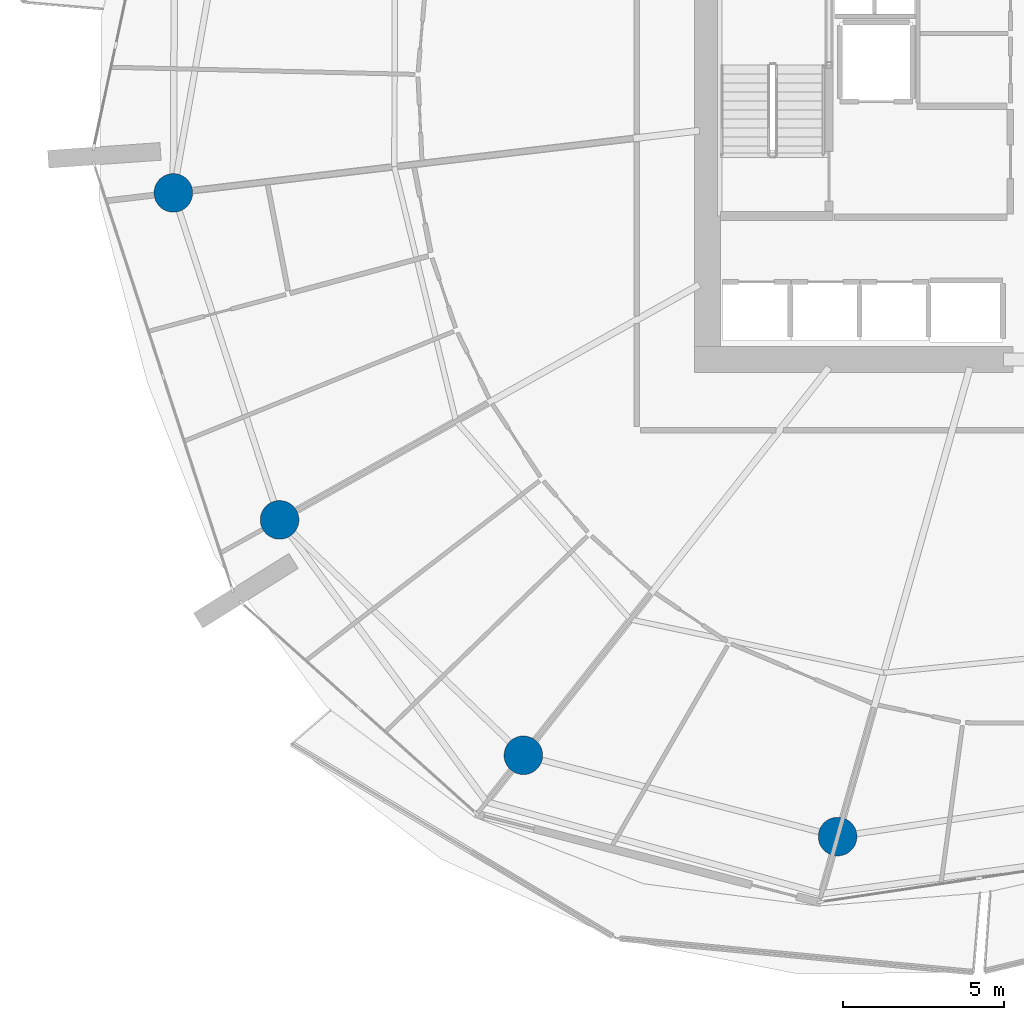
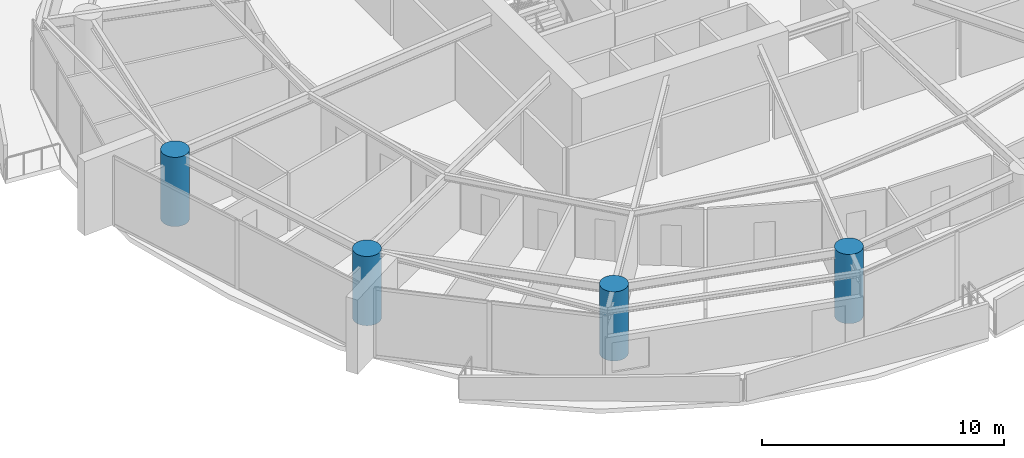
# One storey, part 1 of 23: 4 columns.
"""IFC4 building model written with IfcOpenShell, lengths in metres."""

from ifc_helpers import new_model, si_unit, direction, frame, origin, origin_2d, place, context, subcontext, project, spatial, circle, extrude, material, material_profile, profile_set, type_object, element, save


model = new_model("IFC4")

# Units and contexts
model_context = context("Model", 3, precision=1e-05, world=origin(), true_north=direction((0.0, 1.0)))
body_context = subcontext(model_context, "Body", "Model", "MODEL_VIEW")
ifc_project = project(units=[si_unit("LENGTHUNIT", "METRE"), si_unit("AREAUNIT", "SQUARE_METRE"), si_unit("VOLUMEUNIT", "CUBIC_METRE"), si_unit("PLANEANGLEUNIT", "RADIAN"), si_unit("MASSUNIT", "GRAM", prefix="KILO")], contexts=[model_context])

# Site, building, storey
site_placement = place(None, origin())
site = spatial("IfcSite", under=ifc_project, at=site_placement, CompositionType="ELEMENT")
building_placement = place(site_placement, origin())
building = spatial("IfcBuilding", under=site, at=building_placement, Name="Kazma Halo Residences", CompositionType="ELEMENT")
storey_placement = place(building_placement, frame((0.0, 0.0, 105.14990234375)))
storey = spatial("IfcBuildingStorey", under=building, at=storey_placement, Name="L26", CompositionType="ELEMENT", Elevation=105.14990234375)

# Columns
ifc_material = material(Name="Concrete C80/95", Category="concrete")
ifc_material_profile = material_profile(ifc_material, circle(Radius=0.60009765625, at=origin_2d()), Name="CIRC1200")
ifc_profile_set = profile_set([ifc_material_profile], Name="Concrete C80/95")
column_type = type_object("IfcColumnType", Name="COL-PERIM-1200", PredefinedType="COLUMN", material=ifc_profile_set)
for number, where, z_axis, x_axis, name in (
    (1, (20.79345703125, 38.77978515625, 0.0), (0.0, 0.0, 1.0), (1.0, 0.0, 0.0), "L26 perimeter ring column P08"),
    (2, (24.0966796875, 28.613525390625, 0.0), (0.0, 0.0, 1.0), (1.0, 0.0, 0.0), "L26 perimeter ring column P09"),
    (3, (31.676513671875, 21.293701171875, 0.0), (0.0, 0.0, 1.0), (1.0, 0.0, 0.0), "L26 perimeter ring column P10"),
    (4, (41.447265625, 18.765869140625, 0.0), (0.0, 0.0, 1.0), (1.0, 0.0, 0.0), "L26 perimeter ring column P11"),
):
    element("IfcColumn", number, at=place(storey_placement, frame(where, z_axis=z_axis, x_axis=x_axis)), inside=storey, type_object=column_type, Name=name, PredefinedType="COLUMN", context=body_context, shape_type="SweptSolid", body=[
        extrude(circle(Radius=0.60009765625, at=origin_2d()), origin(), (0.0, 0.0, 1.0), 3.5),
    ])

save(model, "model.ifc")
